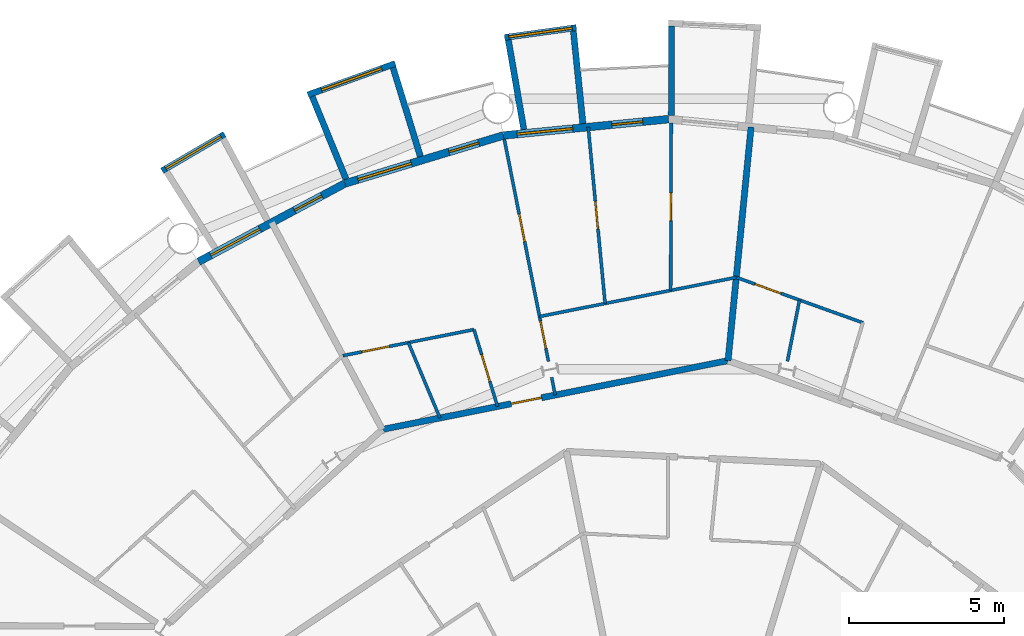
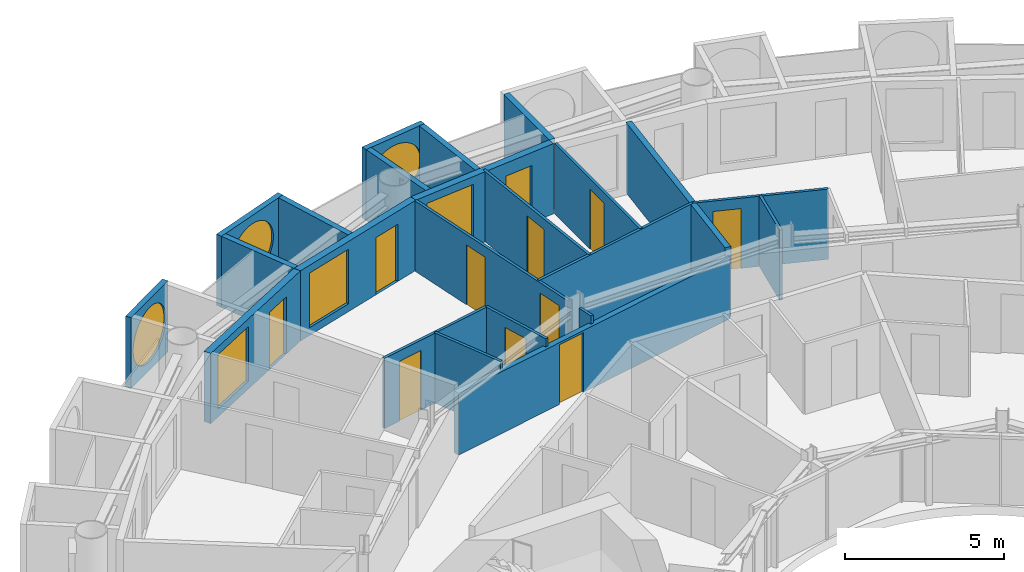
# One storey, part 20 of 26: 23 walls, 11 doors, 6 windows, 17 openings.
"""IFC4 building model written with IfcOpenShell, lengths in metres."""

from ifc_helpers import new_model, si_unit, direction, frame, frame_2d, origin, place, context, subcontext, project, spatial, rectangle, circle, extrude, material, layer, layer_set, type_object, element, fill, save


model = new_model("IFC4")

# Units and contexts
model_context = context("Model", 3, precision=1e-05, world=origin(), true_north=direction((0.0, 1.0)))
body_context = subcontext(model_context, "Body", "Model", "MODEL_VIEW")
ifc_project = project(units=[si_unit("LENGTHUNIT", "METRE"), si_unit("AREAUNIT", "SQUARE_METRE"), si_unit("VOLUMEUNIT", "CUBIC_METRE"), si_unit("PLANEANGLEUNIT", "RADIAN"), si_unit("MASSUNIT", "GRAM", prefix="KILO")], contexts=[model_context])

# Site, building, storey
site_placement = place(None, origin())
site = spatial("IfcSite", under=ifc_project, at=site_placement, CompositionType="ELEMENT")
building_placement = place(site_placement, origin())
building = spatial("IfcBuilding", under=site, at=building_placement, Name="Maasbend Ring Residences", CompositionType="ELEMENT")
storey_placement = place(building_placement, frame((0.0, 0.0, 63.60009765625)))
storey = spatial("IfcBuildingStorey", under=building, at=storey_placement, Name="L17", CompositionType="ELEMENT", Elevation=63.60009765625)

# Wall, opening, door
ifc_material_1 = material(Name="Concrete C30/37", Category="concrete")
ifc_layer_1 = layer(ifc_material_1, 0.199951171875)
ifc_layer_set_1 = layer_set([ifc_layer_1], Name="Concrete C30/37")
wall_type_1 = type_object("IfcWallType", Name="CORRIDOR WALL 200 CONCRETE", PredefinedType="PARTITIONING", material=ifc_layer_set_1)
wall_1_placement = place(storey_placement, frame((-9.239013671875, 17.285888671875, 0.0), z_axis=(0.0, 0.0, 1.0), x_axis=(0.98077905287, 0.195121627328, 0.0)))
wall_1 = element("IfcWall", 1, at=wall_1_placement, inside=storey, type_object=wall_type_1, Name="U-L17-w104", PredefinedType="PARTITIONING", context=body_context, shape_type="SweptSolid", body=[
    extrude(rectangle(XDim=11.378662109375, YDim=0.199951171875, at=frame_2d((5.689453125, 0.0))), origin(), (0.0, 0.0, 1.0), 2.3798828125),
])
opening_1_placement = place(wall_1_placement, frame((4.240966796875, 0.0, 0.0)))
opening_1 = element("IfcOpeningElement", 2, at=opening_1_placement, cuts=wall_1, Name="Opening D-1711", PredefinedType="OPENING", context=body_context, shape_type="SweptSolid", body=[
    extrude(rectangle(XDim=1.0, YDim=2.300048828125, at=frame_2d((0.5, 1.14990234375))), frame((0.0, 0.10986328125, 0.0), z_axis=(0.0, -1.0, 0.0), x_axis=(1.0, 0.0, 0.0)), (0.0, 0.0, 1.0), 0.219970703125),
])
ifc_material_2 = material(Name="Timber, fire-rated, painted", Category="wood")
door_type_1 = type_object("IfcDoorType", Name="FLAT ENTRANCE DOOR 1000 X 2300 FIRE-RATED", OperationType="NOTDEFINED", PredefinedType="DOOR", material=ifc_material_2)
door_1_placement = place(opening_1_placement, origin())
door_1 = element("IfcDoor", 3, at=door_1_placement, inside=storey, type_object=door_type_1, Name="D-1711", OperationType="SINGLE_SWING_LEFT", OverallHeight=2.300048828125, OverallWidth=1.0, PredefinedType="DOOR", context=body_context, shape_type="SweptSolid", body=[
    extrude(rectangle(XDim=1.0, YDim=2.300048828125, at=frame_2d((0.5, 1.14990234375))), frame((0.0, 0.02490234375, 0.0), z_axis=(0.0, -1.0, 0.0), x_axis=(1.0, 0.0, 0.0)), (0.0, 0.0, 1.0), 0.050048828125),
])
fill(opening_1, door_1)

# Wall
ifc_material_3 = material(Name="Pale anodised aluminium panel", Category="aluminium")
ifc_layer_2 = layer(ifc_material_3, 0.199951171875)
ifc_layer_set_2 = layer_set([ifc_layer_2], Name="EW-BOX")
wall_type_2 = type_object("IfcWallType", Name="EW-BOX", PredefinedType="SOLIDWALL", material=ifc_layer_set_2)
wall_2_placement = place(storey_placement, frame((0.090087890625, 27.4169921875, -0.030029296875), z_axis=(0.0, 0.0, 1.0), x_axis=(0.00347308367, 0.999993968827, 0.0)))
element("IfcWall", 4, at=wall_2_placement, inside=storey, type_object=wall_type_2, Name="Box side wall N10 right", PredefinedType="SOLIDWALL", context=body_context, shape_type="SweptSolid", body=[
    extrude(rectangle(XDim=2.882080078125, YDim=0.199951171875, at=frame_2d((1.44091796875, 0.0))), origin(), (0.0, 0.0, 1.0), 2.72998046875),
])

# Wall, opening, window
wall_3_placement = place(storey_placement, frame((-2.97607421875, 30.25390625, -0.030029296875), z_axis=(0.0, 0.0, 1.0), x_axis=(-0.990696111261, -0.136092671119, 0.0)))
wall_3 = element("IfcWall", 5, at=wall_3_placement, inside=storey, type_object=wall_type_2, Name="Box front N12", PredefinedType="SOLIDWALL", context=body_context, shape_type="SweptSolid", body=[
    extrude(rectangle(XDim=2.335693359375, YDim=0.199951171875, at=frame_2d((1.16796875, 0.0))), origin(), (0.0, 0.0, 1.0), 2.72998046875),
])
opening_2_placement = place(wall_3_placement, frame((0.128173828125, 0.0, 0.330078125)))
opening_2 = element("IfcOpeningElement", 6, at=opening_2_placement, cuts=wall_3, Name="Opening W-RD", PredefinedType="OPENING", context=body_context, shape_type="SweptSolid", body=[
    extrude(circle(Radius=1.0400390625, at=frame_2d((1.0400390625, 1.0400390625))), frame((0.0, 0.10986328125, 0.0), z_axis=(0.0, -1.0, 0.0), x_axis=(1.0, 0.0, 0.0)), (0.0, 0.0, 1.0), 0.219970703125),
])
ifc_material_4 = material(Name="Aluminium and clear glass", Category="aluminium")
window_type_1 = type_object("IfcWindowType", Name="W-RD", PartitioningType="SINGLE_PANEL", PredefinedType="WINDOW", material=ifc_material_4)
window_1_placement = place(opening_2_placement, origin())
window_1 = element("IfcWindow", 7, at=window_1_placement, inside=storey, type_object=window_type_1, Name="Round window N12", OverallHeight=2.080078125, OverallWidth=2.080078125, PartitioningType="SINGLE_PANEL", PredefinedType="WINDOW", context=body_context, shape_type="SweptSolid", body=[
    extrude(circle(Radius=1.0400390625, at=frame_2d((1.0400390625, 1.0400390625))), frame((0.0, 0.030029296875, 0.0), z_axis=(0.0, -1.0, 0.0), x_axis=(1.0, 0.0, 0.0)), (0.0, 0.0, 1.0), 0.06005859375),
])
fill(opening_2, window_1)

# Walls
wall_4_placement = place(storey_placement, frame((-2.763916015625, 27.153076171875, -0.030029296875), z_axis=(0.0, 0.0, 1.0), x_axis=(-0.101505487237, 0.994834979311, 0.0)))
element("IfcWall", 8, at=wall_4_placement, inside=storey, type_object=wall_type_2, Name="Box side wall N12 left", PredefinedType="SOLIDWALL", context=body_context, shape_type="SweptSolid", body=[
    extrude(rectangle(XDim=3.006591796875, YDim=0.199951171875, at=frame_2d((1.50341796875, 0.0))), origin(), (0.0, 0.0, 1.0), 2.72998046875),
])
wall_5_placement = place(storey_placement, frame((-4.6708984375, 26.966064453125, -0.030029296875), z_axis=(0.0, 0.0, 1.0), x_axis=(-0.170539878907, 0.985350774954, 0.0)))
element("IfcWall", 9, at=wall_5_placement, inside=storey, type_object=wall_type_2, Name="Box side wall N12 right", PredefinedType="SOLIDWALL", context=body_context, shape_type="SweptSolid", body=[
    extrude(rectangle(XDim=2.931884765625, YDim=0.199951171875, at=frame_2d((1.4658203125, 0.0))), origin(), (0.0, 0.0, 1.0), 2.72998046875),
])

# Wall, opening, window
wall_6_placement = place(storey_placement, frame((-8.820068359375, 29.093017578125, -0.030029296875), z_axis=(0.0, 0.0, 1.0), x_axis=(-0.941461077774, -0.337121697664, 0.0)))
wall_6 = element("IfcWall", 10, at=wall_6_placement, inside=storey, type_object=wall_type_2, Name="Box front N14", PredefinedType="SOLIDWALL", context=body_context, shape_type="SweptSolid", body=[
    extrude(rectangle(XDim=2.9931640625, YDim=0.199951171875, at=frame_2d((1.49658203125, 0.0))), origin(), (0.0, 0.0, 1.0), 2.72998046875),
])
opening_3_placement = place(wall_6_placement, frame((0.45654296875, 0.0, 0.330078125)))
opening_3 = element("IfcOpeningElement", 11, at=opening_3_placement, cuts=wall_6, Name="Opening W-RD", PredefinedType="OPENING", context=body_context, shape_type="SweptSolid", body=[
    extrude(circle(Radius=1.0400390625, at=frame_2d((1.0400390625, 1.0400390625))), frame((0.0, 0.10986328125, 0.0), z_axis=(0.0, -1.0, 0.0), x_axis=(1.0, 0.0, 0.0)), (0.0, 0.0, 1.0), 0.219970703125),
])
window_2_placement = place(opening_3_placement, origin())
window_2 = element("IfcWindow", 12, at=window_2_placement, inside=storey, type_object=window_type_1, Name="Round window N14", OverallHeight=2.080078125, OverallWidth=2.080078125, PartitioningType="SINGLE_PANEL", PredefinedType="WINDOW", context=body_context, shape_type="SweptSolid", body=[
    extrude(circle(Radius=1.0400390625, at=frame_2d((1.0400390625, 1.0400390625))), frame((0.0, 0.030029296875, 0.0), z_axis=(0.0, -1.0, 0.0), x_axis=(1.0, 0.0, 0.0)), (0.0, 0.0, 1.0), 0.06005859375),
])
fill(opening_3, window_2)

# Walls
wall_7_placement = place(storey_placement, frame((-8.009033203125, 26.092041015625, -0.030029296875), z_axis=(0.0, 0.0, 1.0), x_axis=(-0.293406695073, 0.955987715029, 0.0)))
element("IfcWall", 13, at=wall_7_placement, inside=storey, type_object=wall_type_2, Name="Box side wall N14 left", PredefinedType="SOLIDWALL", context=body_context, shape_type="SweptSolid", body=[
    extrude(rectangle(XDim=3.00634765625, YDim=0.199951171875, at=frame_2d((1.503173828125, 0.0))), origin(), (0.0, 0.0, 1.0), 2.72998046875),
])
wall_8_placement = place(storey_placement, frame((-10.408935546875, 25.364013671875, -0.030029296875), z_axis=(0.0, 0.0, 1.0), x_axis=(-0.379509886562, 0.925187681501, 0.0)))
element("IfcWall", 14, at=wall_8_placement, inside=storey, type_object=wall_type_2, Name="Box side wall N14 right", PredefinedType="SOLIDWALL", context=body_context, shape_type="SweptSolid", body=[
    extrude(rectangle(XDim=2.882568359375, YDim=0.199951171875, at=frame_2d((1.44140625, 0.0))), origin(), (0.0, 0.0, 1.0), 2.72998046875),
])

# Wall, opening, window
wall_9_placement = place(storey_placement, frame((-14.326904296875, 26.81201171875, -0.030029296875), z_axis=(0.0, 0.0, 1.0), x_axis=(-0.863346521872, -0.504611517081, 0.0)))
wall_9 = element("IfcWall", 15, at=wall_9_placement, inside=storey, type_object=wall_type_2, Name="Box front N16", PredefinedType="SOLIDWALL", context=body_context, shape_type="SweptSolid", body=[
    extrude(rectangle(XDim=2.33642578125, YDim=0.199951171875, at=frame_2d((1.168212890625, 0.0))), origin(), (0.0, 0.0, 1.0), 2.72998046875),
])
opening_4_placement = place(wall_9_placement, frame((0.128173828125, 0.0, 0.330078125)))
opening_4 = element("IfcOpeningElement", 16, at=opening_4_placement, cuts=wall_9, Name="Opening W-RD", PredefinedType="OPENING", context=body_context, shape_type="SweptSolid", body=[
    extrude(circle(Radius=1.0400390625, at=frame_2d((1.0400390625, 1.0400390625))), frame((0.0, 0.10986328125, 0.0), z_axis=(0.0, -1.0, 0.0), x_axis=(1.0, 0.0, 0.0)), (0.0, 0.0, 1.0), 0.219970703125),
])
window_3_placement = place(opening_4_placement, origin())
window_3 = element("IfcWindow", 17, at=window_3_placement, inside=storey, type_object=window_type_1, Name="Round window N16", OverallHeight=2.080078125, OverallWidth=2.080078125, PartitioningType="SINGLE_PANEL", PredefinedType="WINDOW", context=body_context, shape_type="SweptSolid", body=[
    extrude(circle(Radius=1.0400390625, at=frame_2d((1.0400390625, 1.0400390625))), frame((0.0, 0.030029296875, 0.0), z_axis=(0.0, -1.0, 0.0), x_axis=(1.0, 0.0, 0.0)), (0.0, 0.0, 1.0), 0.06005859375),
])
fill(opening_4, window_3)

# Wall, openings, door, window
ifc_material_5 = material(Name="Aluminium clad insulated panel", Category="aluminium")
ifc_layer_3 = layer(ifc_material_5, 0.25)
ifc_layer_set_3 = layer_set([ifc_layer_3], Name="EW-GL")
wall_type_3 = type_object("IfcWallType", Name="EW-GL", PredefinedType="SOLIDWALL", material=ifc_layer_set_3)
wall_10_placement = place(storey_placement, frame((0.0, 27.300048828125, 0.0), z_axis=(0.0, 0.0, 1.0), x_axis=(-0.995173996315, -0.098126026407, 0.0)))
wall_10 = element("IfcWall", 18, at=wall_10_placement, inside=storey, type_object=wall_type_3, Name="External wall N06", PredefinedType="SOLIDWALL", context=body_context, shape_type="SweptSolid", body=[
    extrude(rectangle(XDim=5.351806640625, YDim=0.25, at=frame_2d((2.67578125, 0.0))), origin(), (0.0, 0.0, 1.0), 2.699951171875),
])
opening_5_placement = place(wall_10_placement, frame((0.841064453125, 0.0, 0.0)))
opening_5 = element("IfcOpeningElement", 19, at=opening_5_placement, cuts=wall_10, Name="Opening D-LG", PredefinedType="OPENING", context=body_context, shape_type="SweptSolid", body=[
    extrude(rectangle(XDim=1.0, YDim=2.199951171875, at=frame_2d((0.5, 1.10009765625))), frame((0.0, 0.135009765625, 0.0), z_axis=(0.0, -1.0, 0.0), x_axis=(1.0, 0.0, 0.0)), (0.0, 0.0, 1.0), 0.27001953125),
])
opening_6_placement = place(wall_10_placement, frame((3.110595703125, 0.0, 0.300048828125)))
opening_6 = element("IfcOpeningElement", 20, at=opening_6_placement, cuts=wall_10, Name="Opening W-BX", PredefinedType="OPENING", context=body_context, shape_type="SweptSolid", body=[
    extrude(rectangle(XDim=1.800048828125, YDim=2.10009765625, at=frame_2d((0.89990234375, 1.050048828125))), frame((0.0, 0.135009765625, 0.0), z_axis=(0.0, -1.0, 0.0), x_axis=(1.0, 0.0, 0.0)), (0.0, 0.0, 1.0), 0.27001953125),
])
ifc_material_6 = material(Name="Aluminium and clear glass", Category="aluminium")
door_type_2 = type_object("IfcDoorType", Name="D-LG", OperationType="SINGLE_SWING_LEFT", PredefinedType="DOOR", material=ifc_material_6)
door_2_placement = place(opening_5_placement, origin())
door_2 = element("IfcDoor", 21, at=door_2_placement, inside=storey, type_object=door_type_2, Name="Loggia door N11", OperationType="SINGLE_SWING_LEFT", OverallHeight=2.199951171875, OverallWidth=1.0, PredefinedType="DOOR", context=body_context, shape_type="SweptSolid", body=[
    extrude(rectangle(XDim=1.0, YDim=2.199951171875, at=frame_2d((0.5, 1.10009765625))), frame((0.0, 0.02490234375, 0.0), z_axis=(0.0, -1.0, 0.0), x_axis=(1.0, 0.0, 0.0)), (0.0, 0.0, 1.0), 0.050048828125),
])
fill(opening_5, door_2)
ifc_material_7 = material(Name="Aluminium and clear glass", Category="aluminium")
window_type_2 = type_object("IfcWindowType", Name="W-BX", PartitioningType="DOUBLE_PANEL_VERTICAL", PredefinedType="WINDOW", material=ifc_material_7)
window_4_placement = place(opening_6_placement, origin())
window_4 = element("IfcWindow", 22, at=window_4_placement, inside=storey, type_object=window_type_2, Name="Window N12 room to box", OverallHeight=2.10009765625, OverallWidth=1.800048828125, PartitioningType="SINGLE_PANEL", PredefinedType="WINDOW", context=body_context, shape_type="SweptSolid", body=[
    extrude(rectangle(XDim=1.800048828125, YDim=2.10009765625, at=frame_2d((0.89990234375, 1.050048828125))), frame((0.0, 0.030029296875, 0.0), z_axis=(0.0, -1.0, 0.0), x_axis=(1.0, 0.0, 0.0)), (0.0, 0.0, 1.0), 0.06005859375),
])
fill(opening_6, window_4)

wall_11_placement = place(storey_placement, frame((-5.325927734375, 26.77490234375, 0.0), z_axis=(0.0, 0.0, 1.0), x_axis=(-0.956965678721, -0.290201119486, 0.0)))
wall_11 = element("IfcWall", 23, at=wall_11_placement, inside=storey, type_object=wall_type_3, Name="External wall N07", PredefinedType="SOLIDWALL", context=body_context, shape_type="SweptSolid", body=[
    extrude(rectangle(XDim=5.351318359375, YDim=0.25, at=frame_2d((2.67578125, 0.0))), origin(), (0.0, 0.0, 1.0), 2.699951171875),
])
opening_7_placement = place(wall_11_placement, frame((0.841064453125, 0.0, 0.0)))
opening_7 = element("IfcOpeningElement", 24, at=opening_7_placement, cuts=wall_11, Name="Opening D-LG", PredefinedType="OPENING", context=body_context, shape_type="SweptSolid", body=[
    extrude(rectangle(XDim=1.0, YDim=2.199951171875, at=frame_2d((0.5, 1.10009765625))), frame((0.0, 0.135009765625, 0.0), z_axis=(0.0, -1.0, 0.0), x_axis=(1.0, 0.0, 0.0)), (0.0, 0.0, 1.0), 0.27001953125),
])
opening_8_placement = place(wall_11_placement, frame((3.110595703125, 0.0, 0.300048828125)))
opening_8 = element("IfcOpeningElement", 25, at=opening_8_placement, cuts=wall_11, Name="Opening W-BX", PredefinedType="OPENING", context=body_context, shape_type="SweptSolid", body=[
    extrude(rectangle(XDim=1.800048828125, YDim=2.10009765625, at=frame_2d((0.89990234375, 1.050048828125))), frame((0.0, 0.135009765625, 0.0), z_axis=(0.0, -1.0, 0.0), x_axis=(1.0, 0.0, 0.0)), (0.0, 0.0, 1.0), 0.27001953125),
])
door_3_placement = place(opening_7_placement, origin())
door_3 = element("IfcDoor", 26, at=door_3_placement, inside=storey, type_object=door_type_2, Name="Loggia door N13", OperationType="SINGLE_SWING_LEFT", OverallHeight=2.199951171875, OverallWidth=1.0, PredefinedType="DOOR", context=body_context, shape_type="SweptSolid", body=[
    extrude(rectangle(XDim=1.0, YDim=2.199951171875, at=frame_2d((0.5, 1.10009765625))), frame((0.0, 0.02490234375, 0.0), z_axis=(0.0, -1.0, 0.0), x_axis=(1.0, 0.0, 0.0)), (0.0, 0.0, 1.0), 0.050048828125),
])
fill(opening_7, door_3)
window_5_placement = place(opening_8_placement, origin())
window_5 = element("IfcWindow", 27, at=window_5_placement, inside=storey, type_object=window_type_2, Name="Window N14 room to box", OverallHeight=2.10009765625, OverallWidth=1.800048828125, PartitioningType="SINGLE_PANEL", PredefinedType="WINDOW", context=body_context, shape_type="SweptSolid", body=[
    extrude(rectangle(XDim=1.800048828125, YDim=2.10009765625, at=frame_2d((0.89990234375, 1.050048828125))), frame((0.0, 0.030029296875, 0.0), z_axis=(0.0, -1.0, 0.0), x_axis=(1.0, 0.0, 0.0)), (0.0, 0.0, 1.0), 0.06005859375),
])
fill(opening_8, window_5)

wall_12_placement = place(storey_placement, frame((-10.447021484375, 25.221923828125, 0.0), z_axis=(0.0, 0.0, 1.0), x_axis=(-0.881915646801, -0.471407246368, 0.0)))
wall_12 = element("IfcWall", 28, at=wall_12_placement, inside=storey, type_object=wall_type_3, Name="External wall N08", PredefinedType="SOLIDWALL", context=body_context, shape_type="SweptSolid", body=[
    extrude(rectangle(XDim=5.35205078125, YDim=0.25, at=frame_2d((2.676025390625, 0.0))), origin(), (0.0, 0.0, 1.0), 2.699951171875),
])
opening_9_placement = place(wall_12_placement, frame((0.841064453125, 0.0, 0.0)))
opening_9 = element("IfcOpeningElement", 29, at=opening_9_placement, cuts=wall_12, Name="Opening D-LG", PredefinedType="OPENING", context=body_context, shape_type="SweptSolid", body=[
    extrude(rectangle(XDim=1.0, YDim=2.199951171875, at=frame_2d((0.5, 1.10009765625))), frame((0.0, 0.135009765625, 0.0), z_axis=(0.0, -1.0, 0.0), x_axis=(1.0, 0.0, 0.0)), (0.0, 0.0, 1.0), 0.27001953125),
])
opening_10_placement = place(wall_12_placement, frame((3.110595703125, 0.0, 0.300048828125)))
opening_10 = element("IfcOpeningElement", 30, at=opening_10_placement, cuts=wall_12, Name="Opening W-BX", PredefinedType="OPENING", context=body_context, shape_type="SweptSolid", body=[
    extrude(rectangle(XDim=1.800048828125, YDim=2.10009765625, at=frame_2d((0.89990234375, 1.050048828125))), frame((0.0, 0.135009765625, 0.0), z_axis=(0.0, -1.0, 0.0), x_axis=(1.0, 0.0, 0.0)), (0.0, 0.0, 1.0), 0.27001953125),
])
door_4_placement = place(opening_9_placement, origin())
door_4 = element("IfcDoor", 31, at=door_4_placement, inside=storey, type_object=door_type_2, Name="Loggia door N15", OperationType="SINGLE_SWING_LEFT", OverallHeight=2.199951171875, OverallWidth=1.0, PredefinedType="DOOR", context=body_context, shape_type="SweptSolid", body=[
    extrude(rectangle(XDim=1.0, YDim=2.199951171875, at=frame_2d((0.5, 1.10009765625))), frame((0.0, 0.02490234375, 0.0), z_axis=(0.0, -1.0, 0.0), x_axis=(1.0, 0.0, 0.0)), (0.0, 0.0, 1.0), 0.050048828125),
])
fill(opening_9, door_4)
window_6_placement = place(opening_10_placement, origin())
window_6 = element("IfcWindow", 32, at=window_6_placement, inside=storey, type_object=window_type_2, Name="Window N16 room to box", OverallHeight=2.10009765625, OverallWidth=1.800048828125, PartitioningType="SINGLE_PANEL", PredefinedType="WINDOW", context=body_context, shape_type="SweptSolid", body=[
    extrude(rectangle(XDim=1.800048828125, YDim=2.10009765625, at=frame_2d((0.89990234375, 1.050048828125))), frame((0.0, 0.030029296875, 0.0), z_axis=(0.0, -1.0, 0.0), x_axis=(1.0, 0.0, 0.0)), (0.0, 0.0, 1.0), 0.06005859375),
])
fill(opening_10, window_6)

# Wall
ifc_material_8 = material(Name="Gypsum board on steel studs", Category="steel")
ifc_layer_4 = layer(ifc_material_8, 0.10009765625)
ifc_layer_set_4 = layer_set([ifc_layer_4], Name="PARTITION 100 GYPSUM")
wall_type_4 = type_object("IfcWallType", Name="PARTITION 100 GYPSUM", PredefinedType="PARTITIONING", material=ifc_layer_set_4)
wall_13_placement = place(storey_placement, frame((-8.39599609375, 20.087890625, 0.0), z_axis=(0.0, 0.0, 1.0), x_axis=(0.385844829344, -0.922563693014, 0.0)))
element("IfcWall", 33, at=wall_13_placement, inside=storey, type_object=wall_type_4, Name="U-L17-w044", PredefinedType="PARTITIONING", context=body_context, shape_type="SweptSolid", body=[
    extrude(rectangle(XDim=2.635986328125, YDim=0.10009765625, at=frame_2d((1.31787109375, 0.0))), origin(), (0.0, 0.0, 1.0), 2.699951171875),
])

# Wall, openings, doors
wall_14_placement = place(storey_placement, frame((-5.301025390625, 26.653076171875, 0.0), z_axis=(0.0, 0.0, 1.0), x_axis=(0.194986141751, -0.980805997395, 0.0)))
wall_14 = element("IfcWall", 34, at=wall_14_placement, inside=storey, type_object=wall_type_4, Name="U-L17-w050", PredefinedType="PARTITIONING", context=body_context, shape_type="SweptSolid", body=[
    extrude(rectangle(XDim=7.3134765625, YDim=0.10009765625, at=frame_2d((3.65673828125, 0.0))), origin(), (0.0, 0.0, 1.0), 2.699951171875),
])
opening_11_placement = place(wall_14_placement, frame((5.985107421875, 0.0, 0.0)))
opening_11 = element("IfcOpeningElement", 35, at=opening_11_placement, cuts=wall_14, Name="Opening D-1714", PredefinedType="OPENING", context=body_context, shape_type="SweptSolid", body=[
    extrude(rectangle(XDim=0.89990234375, YDim=2.300048828125, at=frame_2d((0.449951171875, 1.14990234375))), frame((0.0, 0.06005859375, 0.0), z_axis=(0.0, -1.0, 0.0), x_axis=(1.0, 0.0, 0.0)), (0.0, 0.0, 1.0), 0.1201171875),
])
opening_12_placement = place(wall_14_placement, frame((2.467041015625, 0.0, 0.0)))
opening_12 = element("IfcOpeningElement", 36, at=opening_12_placement, cuts=wall_14, Name="Opening D-1715", PredefinedType="OPENING", context=body_context, shape_type="SweptSolid", body=[
    extrude(rectangle(XDim=0.89990234375, YDim=2.300048828125, at=frame_2d((0.449951171875, 1.14990234375))), frame((0.0, 0.06005859375, 0.0), z_axis=(0.0, -1.0, 0.0), x_axis=(1.0, 0.0, 0.0)), (0.0, 0.0, 1.0), 0.1201171875),
])
ifc_material_9 = material(Name="Timber, painted", Category="wood")
door_type_3 = type_object("IfcDoorType", Name="INTERNAL DOOR 900 X 2300", OperationType="NOTDEFINED", PredefinedType="DOOR", material=ifc_material_9)
door_5_placement = place(opening_11_placement, origin())
door_5 = element("IfcDoor", 37, at=door_5_placement, inside=storey, type_object=door_type_3, Name="D-1714", OperationType="SINGLE_SWING_RIGHT", OverallHeight=2.300048828125, OverallWidth=0.89990234375, PredefinedType="DOOR", context=body_context, shape_type="SweptSolid", body=[
    extrude(rectangle(XDim=0.89990234375, YDim=2.300048828125, at=frame_2d((0.449951171875, 1.14990234375))), frame((0.0, 0.02490234375, 0.0), z_axis=(0.0, -1.0, 0.0), x_axis=(1.0, 0.0, 0.0)), (0.0, 0.0, 1.0), 0.050048828125),
])
fill(opening_11, door_5)
door_6_placement = place(opening_12_placement, origin())
door_6 = element("IfcDoor", 38, at=door_6_placement, inside=storey, type_object=door_type_3, Name="D-1715", OperationType="SINGLE_SWING_LEFT", OverallHeight=2.300048828125, OverallWidth=0.89990234375, PredefinedType="DOOR", context=body_context, shape_type="SweptSolid", body=[
    extrude(rectangle(XDim=0.89990234375, YDim=2.300048828125, at=frame_2d((0.449951171875, 1.14990234375))), frame((0.0, 0.02490234375, 0.0), z_axis=(0.0, -1.0, 0.0), x_axis=(1.0, 0.0, 0.0)), (0.0, 0.0, 1.0), 0.050048828125),
])
fill(opening_12, door_6)

# Wall
wall_15_placement = place(storey_placement, frame((-3.77197265625, 18.966064453125, 0.0), z_axis=(0.0, 0.0, 1.0), x_axis=(0.194500150765, -0.980902488198, 0.0)))
element("IfcWall", 39, at=wall_15_placement, inside=storey, type_object=wall_type_4, Name="U-L17-w052", PredefinedType="PARTITIONING", context=body_context, shape_type="SweptSolid", body=[
    extrude(rectangle(XDim=0.5810546875, YDim=0.10009765625, at=frame_2d((0.29052734375, 0.0))), origin(), (0.0, 0.0, 1.0), 2.699951171875),
])

# Wall, opening, door
wall_16_placement = place(storey_placement, frame((-2.593017578125, 27.051025390625, 0.0), z_axis=(0.0, 0.0, 1.0), x_axis=(0.095336244636, -0.995445126794, 0.0)))
wall_16 = element("IfcWall", 40, at=wall_16_placement, inside=storey, type_object=wall_type_4, Name="U-L17-w055", PredefinedType="PARTITIONING", context=body_context, shape_type="SweptSolid", body=[
    extrude(rectangle(XDim=5.72607421875, YDim=0.10009765625, at=frame_2d((2.863037109375, 0.0))), origin(), (0.0, 0.0, 1.0), 2.699951171875),
])
opening_13_placement = place(wall_16_placement, frame((2.4130859375, 0.0, 0.0)))
opening_13 = element("IfcOpeningElement", 41, at=opening_13_placement, cuts=wall_16, Name="Opening D-1716", PredefinedType="OPENING", context=body_context, shape_type="SweptSolid", body=[
    extrude(rectangle(XDim=0.89990234375, YDim=2.300048828125, at=frame_2d((0.449951171875, 1.14990234375))), frame((0.0, 0.06005859375, 0.0), z_axis=(0.0, -1.0, 0.0), x_axis=(1.0, 0.0, 0.0)), (0.0, 0.0, 1.0), 0.1201171875),
])
door_7_placement = place(opening_13_placement, origin())
door_7 = element("IfcDoor", 42, at=door_7_placement, inside=storey, type_object=door_type_3, Name="D-1716", OperationType="SINGLE_SWING_LEFT", OverallHeight=2.300048828125, OverallWidth=0.89990234375, PredefinedType="DOOR", context=body_context, shape_type="SweptSolid", body=[
    extrude(rectangle(XDim=0.89990234375, YDim=2.300048828125, at=frame_2d((0.449951171875, 1.14990234375))), frame((0.0, 0.02490234375, 0.0), z_axis=(0.0, -1.0, 0.0), x_axis=(1.0, 0.0, 0.0)), (0.0, 0.0, 1.0), 0.050048828125),
])
fill(opening_13, door_7)

wall_17_placement = place(storey_placement, frame((0.069091796875, 21.77197265625, 0.0), z_axis=(0.0, 0.0, 1.0), x_axis=(0.003298522564, 0.99999455986, 0.0)))
wall_17 = element("IfcWall", 43, at=wall_17_placement, inside=storey, type_object=wall_type_4, Name="U-L17-w061", PredefinedType="PARTITIONING", context=body_context, shape_type="SweptSolid", body=[
    extrude(rectangle(XDim=5.403076171875, YDim=0.10009765625, at=frame_2d((2.70166015625, 0.0))), origin(), (0.0, 0.0, 1.0), 2.699951171875),
])
opening_14_placement = place(wall_17_placement, frame((2.251953125, 0.0, 0.0)))
opening_14 = element("IfcOpeningElement", 44, at=opening_14_placement, cuts=wall_17, Name="Opening D-1717", PredefinedType="OPENING", context=body_context, shape_type="SweptSolid", body=[
    extrude(rectangle(XDim=0.89990234375, YDim=2.300048828125, at=frame_2d((0.449951171875, 1.14990234375))), frame((0.0, 0.06005859375, 0.0), z_axis=(0.0, -1.0, 0.0), x_axis=(1.0, 0.0, 0.0)), (0.0, 0.0, 1.0), 0.1201171875),
])
door_8_placement = place(opening_14_placement, origin())
door_8 = element("IfcDoor", 45, at=door_8_placement, inside=storey, type_object=door_type_3, Name="D-1717", OperationType="SINGLE_SWING_LEFT", OverallHeight=2.300048828125, OverallWidth=0.89990234375, PredefinedType="DOOR", context=body_context, shape_type="SweptSolid", body=[
    extrude(rectangle(XDim=0.89990234375, YDim=2.300048828125, at=frame_2d((0.449951171875, 1.14990234375))), frame((0.0, 0.02490234375, 0.0), z_axis=(0.0, -1.0, 0.0), x_axis=(1.0, 0.0, 0.0)), (0.0, 0.0, 1.0), 0.050048828125),
])
fill(opening_14, door_8)

# Wall
wall_18_placement = place(storey_placement, frame((3.837890625, 19.488037109375, 0.0), z_axis=(0.0, 0.0, 1.0), x_axis=(0.192964397841, 0.981205758832, 0.0)))
element("IfcWall", 46, at=wall_18_placement, inside=storey, type_object=wall_type_4, Name="U-L17-w067", PredefinedType="PARTITIONING", context=body_context, shape_type="SweptSolid", body=[
    extrude(rectangle(XDim=2.01171875, YDim=0.10009765625, at=frame_2d((1.005859375, 0.0))), origin(), (0.0, 0.0, 1.0), 2.699951171875),
])

# Wall, opening, door
wall_19_placement = place(storey_placement, frame((-6.280029296875, 20.509033203125, 0.0), z_axis=(0.0, 0.0, 1.0), x_axis=(0.293008940941, -0.956109701095, 0.0)))
wall_19 = element("IfcWall", 47, at=wall_19_placement, inside=storey, type_object=wall_type_4, Name="U-L17-w090", PredefinedType="PARTITIONING", context=body_context, shape_type="SweptSolid", body=[
    extrude(rectangle(XDim=2.59716796875, YDim=0.10009765625, at=frame_2d((1.298583984375, 0.0))), origin(), (0.0, 0.0, 1.0), 2.699951171875),
])
opening_15_placement = place(wall_19_placement, frame((0.84912109375, 0.0, 0.0)))
opening_15 = element("IfcOpeningElement", 48, at=opening_15_placement, cuts=wall_19, Name="Opening D-1713", PredefinedType="OPENING", context=body_context, shape_type="SweptSolid", body=[
    extrude(rectangle(XDim=0.89990234375, YDim=2.300048828125, at=frame_2d((0.449951171875, 1.14990234375))), frame((0.0, 0.06005859375, 0.0), z_axis=(0.0, -1.0, 0.0), x_axis=(1.0, 0.0, 0.0)), (0.0, 0.0, 1.0), 0.1201171875),
])
door_9_placement = place(opening_15_placement, origin())
door_9 = element("IfcDoor", 49, at=door_9_placement, inside=storey, type_object=door_type_3, Name="D-1713", OperationType="SINGLE_SWING_LEFT", OverallHeight=2.300048828125, OverallWidth=0.89990234375, PredefinedType="DOOR", context=body_context, shape_type="SweptSolid", body=[
    extrude(rectangle(XDim=0.89990234375, YDim=2.300048828125, at=frame_2d((0.449951171875, 1.14990234375))), frame((0.0, 0.02490234375, 0.0), z_axis=(0.0, -1.0, 0.0), x_axis=(1.0, 0.0, 0.0)), (0.0, 0.0, 1.0), 0.050048828125),
])
fill(opening_15, door_9)

wall_20_placement = place(storey_placement, frame((-10.510986328125, 19.6669921875, 0.0), z_axis=(0.0, 0.0, 1.0), x_axis=(0.980773878384, 0.195147635084, 0.0)))
wall_20 = element("IfcWall", 50, at=wall_20_placement, inside=storey, type_object=wall_type_4, Name="U-L17-w108", PredefinedType="PARTITIONING", context=body_context, shape_type="SweptSolid", body=[
    extrude(rectangle(XDim=4.31494140625, YDim=0.10009765625, at=frame_2d((2.157470703125, 0.0))), origin(), (0.0, 0.0, 1.0), 2.699951171875),
])
opening_16_placement = place(wall_20_placement, frame((0.6279296875, 0.0, 0.0)))
opening_16 = element("IfcOpeningElement", 51, at=opening_16_placement, cuts=wall_20, Name="Opening D-1712", PredefinedType="OPENING", context=body_context, shape_type="SweptSolid", body=[
    extrude(rectangle(XDim=0.89990234375, YDim=2.300048828125, at=frame_2d((0.449951171875, 1.14990234375))), frame((0.0, 0.06005859375, 0.0), z_axis=(0.0, -1.0, 0.0), x_axis=(1.0, 0.0, 0.0)), (0.0, 0.0, 1.0), 0.1201171875),
])
door_10_placement = place(opening_16_placement, origin())
door_10 = element("IfcDoor", 52, at=door_10_placement, inside=storey, type_object=door_type_3, Name="D-1712", OperationType="SINGLE_SWING_LEFT", OverallHeight=2.300048828125, OverallWidth=0.89990234375, PredefinedType="DOOR", context=body_context, shape_type="SweptSolid", body=[
    extrude(rectangle(XDim=0.89990234375, YDim=2.300048828125, at=frame_2d((0.449951171875, 1.14990234375))), frame((0.0, 0.02490234375, 0.0), z_axis=(0.0, -1.0, 0.0), x_axis=(1.0, 0.0, 0.0)), (0.0, 0.0, 1.0), 0.050048828125),
])
fill(opening_16, door_10)

# Wall
wall_21_placement = place(storey_placement, frame((-4.1630859375, 20.929931640625, 0.0), z_axis=(0.0, 0.0, 1.0), x_axis=(0.98077745026, 0.195129682675, 0.0)))
element("IfcWall", 53, at=wall_21_placement, inside=storey, type_object=wall_type_4, Name="U-L17-w109", PredefinedType="PARTITIONING", context=body_context, shape_type="SweptSolid", body=[
    extrude(rectangle(XDim=6.4736328125, YDim=0.10009765625, at=frame_2d((3.23681640625, 0.0))), origin(), (0.0, 0.0, 1.0), 2.699951171875),
])

# Wall, opening, door
wall_22_placement = place(storey_placement, frame((2.18603515625, 22.193115234375, 0.0), z_axis=(0.0, 0.0, 1.0), x_axis=(0.941413199806, -0.337255373909, 0.0)))
wall_22 = element("IfcWall", 54, at=wall_22_placement, inside=storey, type_object=wall_type_4, Name="U-L17-w112", PredefinedType="PARTITIONING", context=body_context, shape_type="SweptSolid", body=[
    extrude(rectangle(XDim=4.34130859375, YDim=0.10009765625, at=frame_2d((2.170654296875, 0.0))), origin(), (0.0, 0.0, 1.0), 2.699951171875),
])
opening_17_placement = place(wall_22_placement, frame((0.636962890625, 0.0, 0.0)))
opening_17 = element("IfcOpeningElement", 55, at=opening_17_placement, cuts=wall_22, Name="Opening D-1706", PredefinedType="OPENING", context=body_context, shape_type="SweptSolid", body=[
    extrude(rectangle(XDim=0.89990234375, YDim=2.300048828125, at=frame_2d((0.449951171875, 1.14990234375))), frame((0.0, 0.06005859375, 0.0), z_axis=(0.0, -1.0, 0.0), x_axis=(1.0, 0.0, 0.0)), (0.0, 0.0, 1.0), 0.1201171875),
])
door_11_placement = place(opening_17_placement, origin())
door_11 = element("IfcDoor", 56, at=door_11_placement, inside=storey, type_object=door_type_3, Name="D-1706", OperationType="SINGLE_SWING_LEFT", OverallHeight=2.300048828125, OverallWidth=0.89990234375, PredefinedType="DOOR", context=body_context, shape_type="SweptSolid", body=[
    extrude(rectangle(XDim=0.89990234375, YDim=2.300048828125, at=frame_2d((0.449951171875, 1.14990234375))), frame((0.0, 0.02490234375, 0.0), z_axis=(0.0, -1.0, 0.0), x_axis=(1.0, 0.0, 0.0)), (0.0, 0.0, 1.0), 0.050048828125),
])
fill(opening_17, door_11)

# Wall
ifc_material_10 = material(Name="Concrete C30/37", Category="concrete")
ifc_layer_5 = layer(ifc_material_10, 0.199951171875)
ifc_layer_set_5 = layer_set([ifc_layer_5], Name="Concrete C30/37")
wall_type_5 = type_object("IfcWallType", Name="PARTY WALL 200 CONCRETE", PredefinedType="PARTITIONING", material=ifc_layer_set_5)
wall_23_placement = place(storey_placement, frame((1.9208984375, 19.506103515625, 0.0), z_axis=(0.0, 0.0, 1.0), x_axis=(0.098115395479, 0.995175044487, 0.0)))
element("IfcWall", 57, at=wall_23_placement, inside=storey, type_object=wall_type_5, Name="U-L17-w063", PredefinedType="PARTITIONING", context=body_context, shape_type="SweptSolid", body=[
    extrude(rectangle(XDim=7.574462890625, YDim=0.199951171875, at=frame_2d((3.787109375, 0.0))), origin(), (0.0, 0.0, 1.0), 2.699951171875),
])

save(model, "model.ifc")
